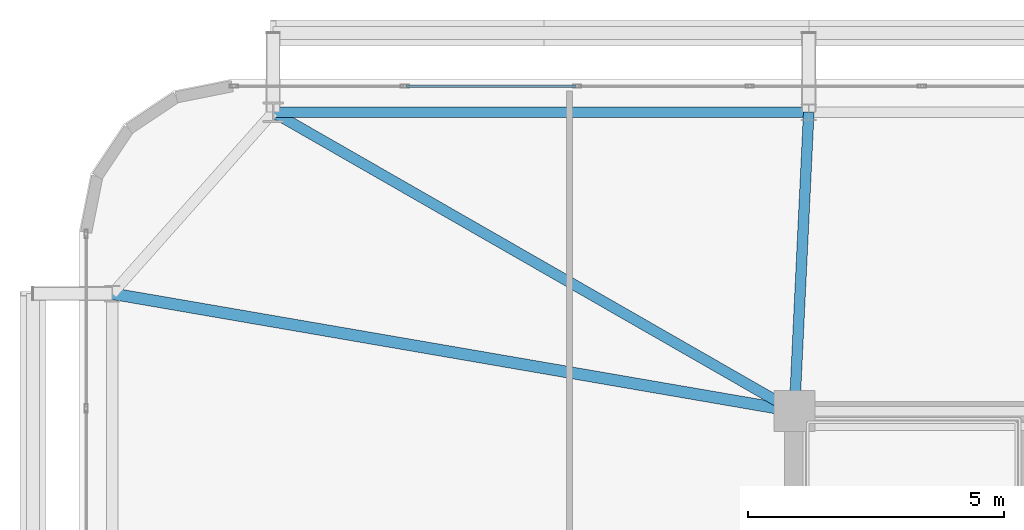
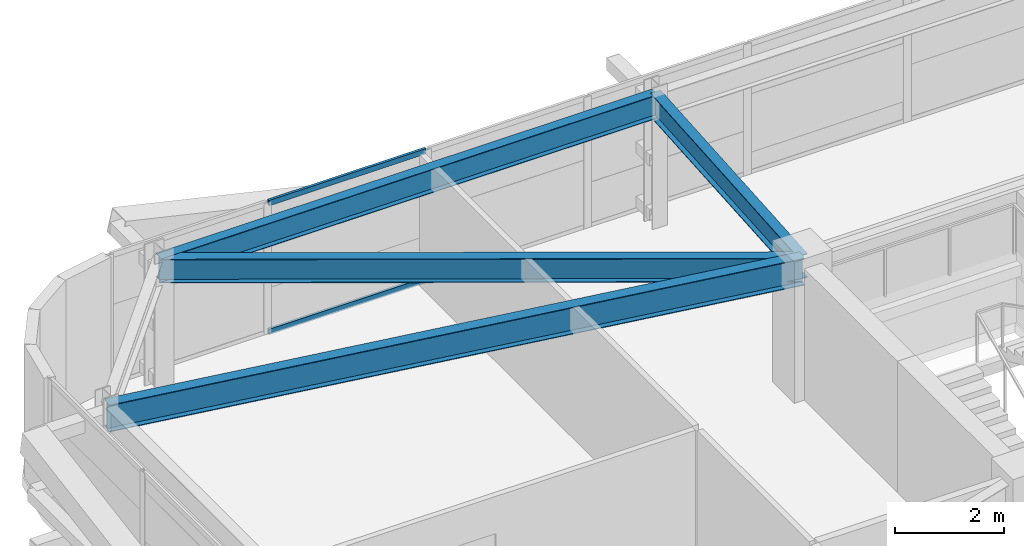
# One storey, part 34 of 58: 4 beams, 2 members, 1 element without a shape of its own.
"""IFC4 building model written with IfcOpenShell, lengths in metres."""

from ifc_helpers import new_model, si_unit, direction, frame, origin, origin_2d, place, context, subcontext, project, spatial, hollow_rectangle, i_section, extrude, source, transform, mapped, material, layer, layer_set, material_profile, profile_set, type_object, element, aggregate, save


model = new_model("IFC4")

# Units and contexts
model_context = context("Model", 3, precision=1e-05, world=origin(), true_north=direction((0.0, 1.0)))
body_context = subcontext(model_context, "Body", "Model", "MODEL_VIEW")
ifc_project = project(units=[si_unit("LENGTHUNIT", "METRE"), si_unit("AREAUNIT", "SQUARE_METRE"), si_unit("VOLUMEUNIT", "CUBIC_METRE"), si_unit("PLANEANGLEUNIT", "RADIAN"), si_unit("MASSUNIT", "GRAM", prefix="KILO")], contexts=[model_context])

# Site, building, storey
site_placement = place(None, origin())
site = spatial("IfcSite", under=ifc_project, at=site_placement, CompositionType="ELEMENT")
building_placement = place(site_placement, origin())
building = spatial("IfcBuilding", under=site, at=building_placement, Name="Taldren Reach Tower", CompositionType="ELEMENT")
storey_placement = place(building_placement, frame((0.0, 0.0, 51.449951171875)))
storey = spatial("IfcBuildingStorey", under=building, at=storey_placement, Name="L15", CompositionType="ELEMENT", Elevation=51.449951171875)

# Beams
ifc_material_1 = material(Name="Steel Gr 350 (350PLUS)", Category="steel")
ifc_material_profile_1 = material_profile(ifc_material_1, i_section(OverallWidth=0.208984375, OverallDepth=0.528076171875, WebThickness=0.009521484375, FlangeThickness=0.01318359375, at=origin_2d()), Name="530UB82.0")
ifc_profile_set_1 = profile_set([ifc_material_profile_1], Name="Steel Gr 350 (350PLUS)")
beam_type_1 = type_object("IfcBeamType", Name="SP-UB530B", PredefinedType="SPANDREL", material=ifc_profile_set_1)
shared_shape_1 = source(origin(), body_context, "Body", "SweptSolid", [
    extrude(i_section(OverallWidth=0.208984375, OverallDepth=0.528076171875, WebThickness=0.009521484375, FlangeThickness=0.01318359375, at=origin_2d()), origin(), (0.0, 0.0, 1.0), 10.47998046875),
])
beam_1_placement = place(storey_placement, frame((19.280029296875, 37.85009765625, 2.666015625), z_axis=(-1.0, 0.0, 0.0), x_axis=(0.0, -1.0, 0.0)))
element("IfcBeam", 1, at=beam_1_placement, inside=storey, type_object=beam_type_1, Name="Perimeter spandrel B1 N2-N1 L15", PredefinedType="SPANDREL", context=body_context, shape_type="MappedRepresentation", body=[
    mapped(shared_shape_1, transform((0.0, 0.0, 0.0), scale=1.0)),
])
ifc_material_profile_2 = material_profile(ifc_material_1, i_section(OverallWidth=0.22802734375, OverallDepth=0.60205078125, WebThickness=0.010498046875, FlangeThickness=0.014892578125, at=origin_2d()), Name="610UB101")
ifc_profile_set_2 = profile_set([ifc_material_profile_2], Name="Steel Gr 350 (350PLUS)")
beam_type_2 = type_object("IfcBeamType", Name="BM-UB610B", PredefinedType="BEAM", material=ifc_profile_set_2)
shared_shape_2 = source(origin(), body_context, "Body", "SweptSolid", [
    extrude(i_section(OverallWidth=0.22802734375, OverallDepth=0.60205078125, WebThickness=0.010498046875, FlangeThickness=0.014892578125, at=origin_2d()), origin(), (0.0, 0.0, 1.0), 13.546875),
])
beam_2_placement = place(storey_placement, frame((19.0, 32.0, 2.629150390625), z_axis=(-0.985481022998, 0.169785609847, 0.0), x_axis=(-0.169785609847, -0.985481022998, 0.0)))
element("IfcBeam", 2, at=beam_2_placement, inside=storey, type_object=beam_type_2, Name="Primary floor girder B1-W3 L15", PredefinedType="BEAM", context=body_context, shape_type="MappedRepresentation", body=[
    mapped(shared_shape_2, transform((0.0, 0.0, 0.0), scale=1.0)),
])
ifc_material_profile_3 = material_profile(ifc_material_1, i_section(OverallWidth=0.208984375, OverallDepth=0.532958984375, WebThickness=0.01025390625, FlangeThickness=0.015625, at=origin_2d()), Name="530UB92.4")
ifc_profile_set_3 = profile_set([ifc_material_profile_3], Name="Steel Gr 350 (350PLUS)")
beam_type_3 = type_object("IfcBeamType", Name="BM-UB530A", PredefinedType="BEAM", material=ifc_profile_set_3)
shared_shape_3 = source(origin(), body_context, "Body", "SweptSolid", [
    extrude(i_section(OverallWidth=0.208984375, OverallDepth=0.532958984375, WebThickness=0.01025390625, FlangeThickness=0.015625, at=origin_2d()), origin(), (0.0, 0.0, 1.0), 11.758544921875),
])
beam_3_placement = place(storey_placement, frame((19.0, 32.0, 2.66357421875), z_axis=(-0.867452414141, 0.497520159593, 0.0), x_axis=(-0.497520159593, -0.867452414141, 0.0)))
element("IfcBeam", 3, at=beam_3_placement, inside=storey, type_object=beam_type_3, Name="Primary floor girder B1-N1 L15", PredefinedType="BEAM", context=body_context, shape_type="MappedRepresentation", body=[
    mapped(shared_shape_3, transform((0.0, 0.0, 0.0), scale=1.0)),
])
shared_shape_4 = source(origin(), body_context, "Body", "SweptSolid", [
    extrude(i_section(OverallWidth=0.208984375, OverallDepth=0.532958984375, WebThickness=0.01025390625, FlangeThickness=0.015625, at=origin_2d()), origin(), (0.0, 0.0, 1.0), 5.856689453125),
])
beam_4_placement = place(storey_placement, frame((19.0, 32.0, 2.66357421875), z_axis=(0.047812711672, 0.998856318297, 0.0), x_axis=(-0.998856318297, 0.047812711672, 0.0)))
element("IfcBeam", 4, at=beam_4_placement, inside=storey, type_object=beam_type_3, Name="Primary floor girder B1-N2 L15", PredefinedType="BEAM", context=body_context, shape_type="MappedRepresentation", body=[
    mapped(shared_shape_4, transform((0.0, 0.0, 0.0), scale=1.0)),
])

# Curtain wall, members
ifc_material_2 = material(Name="Aluminium and Low-E Glass Unitised System", Category="aluminium")
ifc_layer = layer(ifc_material_2, 0.159912109375)
ifc_layer_set = layer_set([ifc_layer], Name="Aluminium and Low-E Glass Unitised System")
curtain_wall_type = type_object("IfcCurtainWallType", Name="CW-SYS-2", PredefinedType="NOTDEFINED", material=ifc_layer_set)
curtain_wall_placement = place(storey_placement, origin())
curtain_wall = element("IfcCurtainWall", 5, at=curtain_wall_placement, inside=storey, type_object=curtain_wall_type, Name="Unitised curtain wall CW-L15-N", PredefinedType="NOTDEFINED")
ifc_material_3 = material(Name="Anodised Aluminium 6063-T6", Category="aluminium")
ifc_material_profile_4 = material_profile(ifc_material_3, hollow_rectangle(XDim=0.054931640625, YDim=0.1201171875, WallThickness=0.0029296875, at=origin_2d()), Name="ALU-120x55x3RHS")
ifc_profile_set_4 = profile_set([ifc_material_profile_4], Name="Anodised Aluminium 6063-T6")
member_type = type_object("IfcMemberType", Name="CW-TRN-135", PredefinedType="USERDEFINED", material=ifc_profile_set_4)
shared_shape_5 = source(origin(), body_context, "Body", "SweptSolid", [
    extrude(hollow_rectangle(XDim=0.054931640625, YDim=0.1201171875, WallThickness=0.0029296875, at=origin_2d()), origin(), (0.0, 0.0, 1.0), 3.31005859375),
])
member_1_placement = place(storey_placement, frame((14.717529296875, 38.360107421875, 0.027587890625), z_axis=(-1.0, 0.0, 0.0), x_axis=(0.0, -1.0, 0.0)))
member_1 = element("IfcMember", 6, at=member_1_placement, type_object=member_type, Name="CW-2 transom 15.1", ObjectType="TRANSOM", PredefinedType="USERDEFINED", context=body_context, shape_type="MappedRepresentation", body=[
    mapped(shared_shape_5, transform((0.0, 0.0, 0.0), scale=1.0)),
])
member_2_placement = place(storey_placement, frame((14.717529296875, 38.360107421875, 2.902587890625), z_axis=(-1.0, 0.0, 0.0), x_axis=(0.0, -1.0, 0.0)))
member_2 = element("IfcMember", 7, at=member_2_placement, type_object=member_type, Name="CW-2 transom 15.2", ObjectType="TRANSOM", PredefinedType="USERDEFINED", context=body_context, shape_type="MappedRepresentation", body=[
    mapped(shared_shape_5, transform((0.0, 0.0, 0.0), scale=1.0)),
])
aggregate(curtain_wall, [member_1, member_2])

save(model, "model.ifc")
